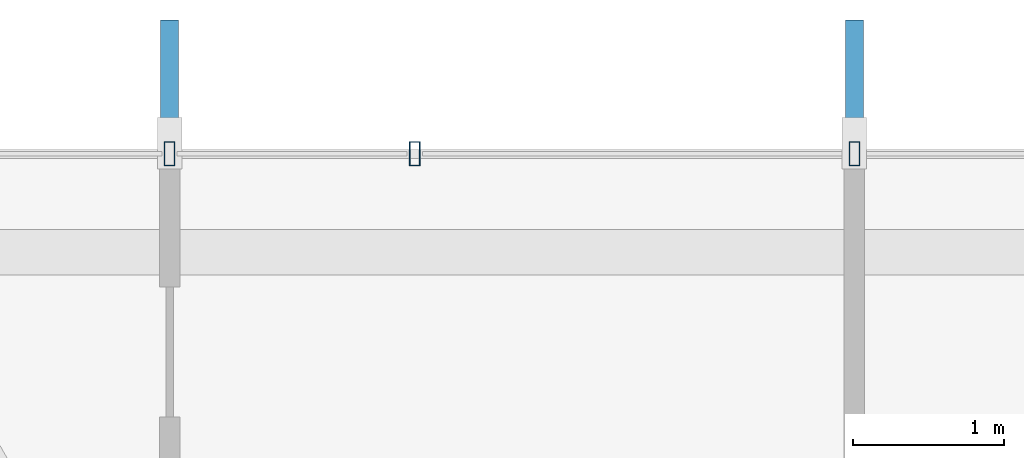
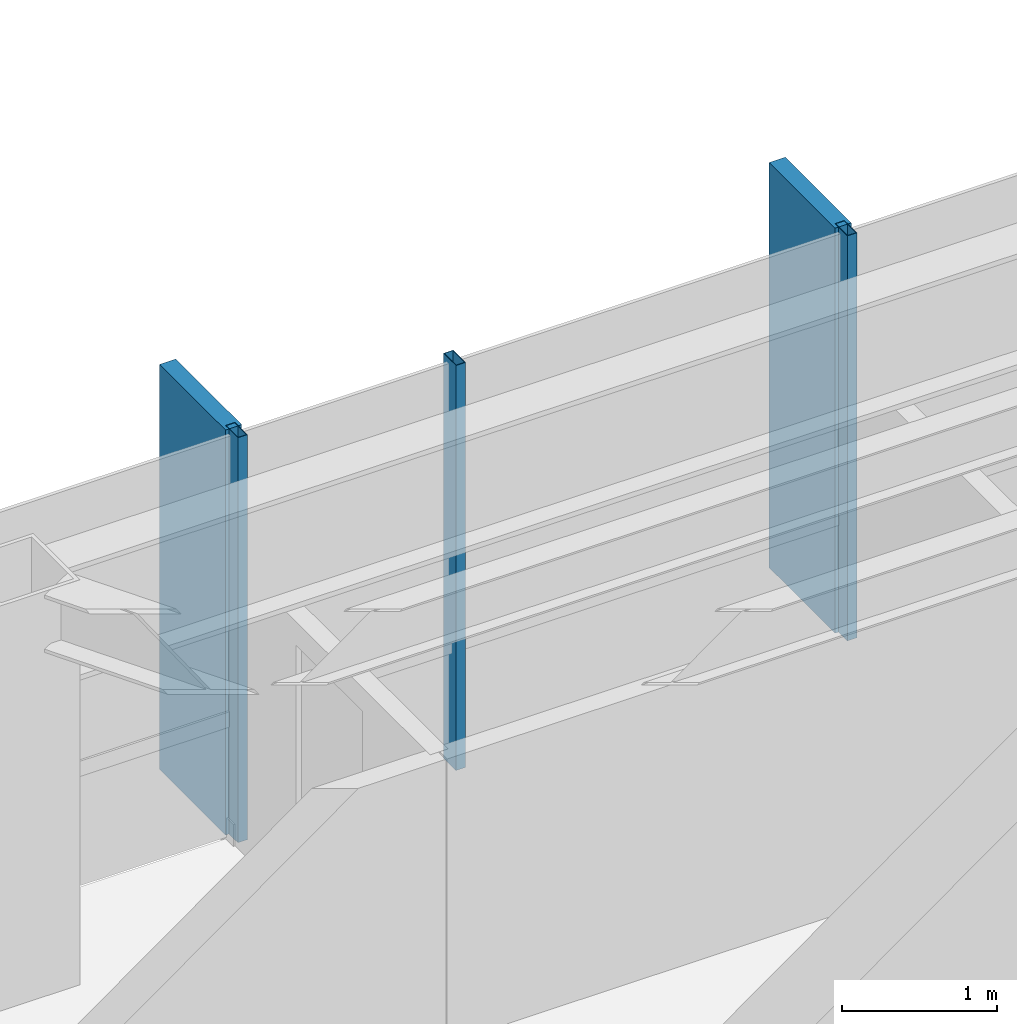
# One storey, part 16 of 27: 5 members, 1 element without a shape of its own.
"""IFC4 building model written with IfcOpenShell, lengths in metres."""

import ifcopenshell
import ifcopenshell.guid

model = None  # the IFC model being written
_history = None  # IfcOwnerHistory: only IFC2X3 demands one
_inside = {}  # id of a spatial element -> (the spatial element, [elements in it])
_under = {}  # id of a project, library or spatial element -> (it, [spatial elements below it])
_declared = {}  # id of a project -> (the project, [libraries it declares])
_typed = {}  # id of a type object -> (the type object, [elements of that type])
_made_of = {}  # id of a material, layer set ... -> (it, [elements and type objects made of it])


def new_model(schema):
    """Start an empty IFC model of exactly this schema.

    Asked for "IFC4X3", IfcOpenShell would pick the latest addendum, in which some entities
    have other attributes; the version numbers below select the first issue.
    IFC2X3 requires an IfcOwnerHistory on every rooted entity: one is made here for all.
    """
    global model, _history
    if schema == "IFC4X3":
        model = ifcopenshell.file(schema_version=(4, 3, 0, 0))
    else:
        model = ifcopenshell.file(schema=schema)
    _inside.clear()
    _under.clear()
    _declared.clear()
    _typed.clear()
    _made_of.clear()
    _history = None
    if model.schema == "IFC2X3":
        org = make("IfcOrganization", Name="unknown")
        user = make(
            "IfcPersonAndOrganization",
            ThePerson=make("IfcPerson", FamilyName="unknown"),
            TheOrganization=org,
        )
        app = make(
            "IfcApplication",
            ApplicationDeveloper=org,
            Version="unknown",
            ApplicationFullName="unknown",
            ApplicationIdentifier="unknown",
        )
        _history = make(
            "IfcOwnerHistory",
            OwningUser=user,
            OwningApplication=app,
            ChangeAction="ADDED",
            CreationDate=0,
        )
    return model


def make(cls, **values):
    """One entity of the class cls with the attributes given. An attribute that is None is left unset."""
    return model.create_entity(
        cls, **{name: value for name, value in values.items() if value is not None}
    )


def rooted(cls, **values):
    """An entity with a GlobalId (a new one), such as an element, a storey or a relation."""
    return make(cls, GlobalId=ifcopenshell.guid.new(), OwnerHistory=_history, **values)


def si_unit(unit_type, name, prefix=None):
    """IfcSIUnit, for example si_unit("LENGTHUNIT", "METRE", prefix="MILLI")."""
    return make("IfcSIUnit", UnitType=unit_type, Prefix=prefix, Name=name)


def assignment(units):
    """IfcUnitAssignment: the units of a project."""
    return None if units is None else make("IfcUnitAssignment", Units=units)


def point(xyz):
    """IfcCartesianPoint."""
    return None if xyz is None else make("IfcCartesianPoint", Coordinates=xyz)


def direction(xyz):
    """IfcDirection."""
    return None if xyz is None else make("IfcDirection", DirectionRatios=xyz)


def frame(location, z_axis=None, x_axis=None):
    """IfcAxis2Placement3D, a coordinate frame: its origin and axes. An axis left out is left unset."""
    return make(
        "IfcAxis2Placement3D",
        Location=point(location),
        Axis=direction(z_axis),
        RefDirection=direction(x_axis),
    )


def frame_2d(location, x_axis=None):
    """IfcAxis2Placement2D, a coordinate frame in the plane: its origin and x axis."""
    return make(
        "IfcAxis2Placement2D", Location=point(location), RefDirection=direction(x_axis)
    )


def origin():
    """The frame at (0, 0, 0) with its axes left unset."""
    return frame((0.0, 0.0, 0.0))


def origin_2d():
    """The frame at (0, 0) in the plane with its x axis left unset."""
    return frame_2d((0.0, 0.0))


def place(relative_to, where):
    """IfcLocalPlacement: puts the frame where relative to a parent placement (None: the world)."""
    return make(
        "IfcLocalPlacement", PlacementRelTo=relative_to, RelativePlacement=where
    )


def context(
    kind, dimensions, precision=None, world=None, true_north=None, identifier=None
):
    """IfcGeometricRepresentationContext, for example the 3D "Model" context."""
    return make(
        "IfcGeometricRepresentationContext",
        ContextIdentifier=identifier,
        ContextType=kind,
        CoordinateSpaceDimension=dimensions,
        Precision=precision,
        WorldCoordinateSystem=world,
        TrueNorth=true_north,
    )


def subcontext(parent, identifier, kind, view, scale=None):
    """IfcGeometricRepresentationSubContext, for example "Body" below "Model"."""
    return make(
        "IfcGeometricRepresentationSubContext",
        ContextIdentifier=identifier,
        ContextType=kind,
        ParentContext=parent,
        TargetScale=scale,
        TargetView=view,
    )


def project(units=None, contexts=None):
    """IfcProject with its units and contexts."""
    return rooted(
        "IfcProject",
        Name="project",
        RepresentationContexts=contexts,
        UnitsInContext=assignment(units),
    )


def spatial(cls, under=None, at=None, **own):
    """A site, building, storey or space (cls), placed at a placement, below another one or the project."""
    s = rooted(cls, ObjectPlacement=at, **own)
    if under is not None:
        _under.setdefault(under.id(), (under, []))[1].append(s)
    return s


def profile(cls, at=None, kind="AREA", **sizes):
    """A parametric profile (cls). Its sizes go by their IFC names, for example OverallWidth=200.0."""
    return make(cls, ProfileType=kind, Position=at, **sizes)


def rectangle(**sizes):
    """IfcRectangleProfileDef."""
    return profile("IfcRectangleProfileDef", **sizes)


def hollow_rectangle(**sizes):
    """IfcRectangleHollowProfileDef."""
    return profile("IfcRectangleHollowProfileDef", **sizes)


def extrude(swept, where, along, depth):
    """IfcExtrudedAreaSolid: the profile swept, set in the frame where, extruded along a direction by depth."""
    return make(
        "IfcExtrudedAreaSolid",
        SweptArea=swept,
        Position=where,
        ExtrudedDirection=direction(along),
        Depth=depth,
    )


def shape(context_of_items, identifier, shape_type, items):
    """IfcShapeRepresentation: the items that make up one representation, for example the "Body"."""
    return make(
        "IfcShapeRepresentation",
        ContextOfItems=context_of_items,
        RepresentationIdentifier=identifier,
        RepresentationType=shape_type,
        Items=items,
    )


def material(Name=None, Category=None):
    """IfcMaterial."""
    return make("IfcMaterial", Name=Name, Category=Category)


def layer(
    of_material, thickness, ventilated=None, Name=None, Category=None, Priority=None
):
    """IfcMaterialLayer: one layer of a wall or slab, of a material (None: an air gap)."""
    return make(
        "IfcMaterialLayer",
        Material=of_material,
        LayerThickness=thickness,
        IsVentilated=ventilated,
        Name=Name,
        Category=Category,
        Priority=Priority,
    )


def layer_set(layers, Name=None):
    """IfcMaterialLayerSet."""
    return make("IfcMaterialLayerSet", MaterialLayers=layers, LayerSetName=Name)


def material_profile(
    of_material, cross_section, Name=None, Category=None, Priority=None
):
    """IfcMaterialProfile: a cross section and its material."""
    return make(
        "IfcMaterialProfile",
        Name=Name,
        Material=of_material,
        Profile=cross_section,
        Priority=Priority,
        Category=Category,
    )


def profile_set(profiles, Name=None, composite=None):
    """IfcMaterialProfileSet."""
    return make(
        "IfcMaterialProfileSet",
        Name=Name,
        MaterialProfiles=profiles,
        CompositeProfile=composite,
    )


def made_of(thing, what):
    """Note that an element or type object is made of a material, layer set ...; save() writes the relation."""
    if what is not None:
        _made_of.setdefault(what.id(), (what, []))[1].append(thing)
    return thing


def type_object(cls, material=None, **own):
    """A type object (cls), such as IfcWallType, which elements share."""
    return made_of(rooted(cls, **own), material)


def element(
    cls,
    number,
    at=None,
    inside=None,
    cuts=None,
    type_object=None,
    material=None,
    context=None,
    identifier="Body",
    shape_type=None,
    held_by="IfcProductDefinitionShape",
    body=None,
    shapes=None,
    **own,
):
    """One element of the class cls, such as IfcWall. Its Tag is "e" and its number.

    at: its placement. inside: the storey or other place that contains it. cuts: it is an
    opening in that element (IfcRelVoidsElement). A single representation is given by context,
    identifier, shape_type and body (its items); several are given by shapes. held_by: the class
    of the entity that holds the representations. save() writes the other relations.
    """
    e = rooted(cls, Tag="e%d" % number, ObjectPlacement=at, **own)
    if body is not None:
        shapes = [shape(context, identifier, shape_type, body)]
    if shapes is not None:
        e.Representation = make(held_by, Representations=shapes)
    if inside is not None:
        _inside.setdefault(inside.id(), (inside, []))[1].append(e)
    if cuts is not None:
        rooted(
            "IfcRelVoidsElement", RelatingBuildingElement=cuts, RelatedOpeningElement=e
        )
    if type_object is not None:
        _typed.setdefault(type_object.id(), (type_object, []))[1].append(e)
    return made_of(e, material)


def aggregate(whole, parts):
    """IfcRelAggregates: a whole, such as a stair, and the parts it consists of."""
    return rooted("IfcRelAggregates", RelatingObject=whole, RelatedObjects=parts)


def save(model, path):
    """Write the relations noted so far, then the file.

    IfcRelAggregates (storeys below a building ...), IfcRelContainedInSpatialStructure (elements
    in a storey), IfcRelDefinesByType, IfcRelAssociatesMaterial and IfcRelDeclares: one each for
    every whole, place, type object, material and project.
    """
    for whole, parts in _under.values():
        aggregate(whole, parts)
    for where, things in _inside.values():
        rooted(
            "IfcRelContainedInSpatialStructure",
            RelatedElements=things,
            RelatingStructure=where,
        )
    for kind, things in _typed.values():
        rooted("IfcRelDefinesByType", RelatedObjects=things, RelatingType=kind)
    for what, things in _made_of.values():
        rooted("IfcRelAssociatesMaterial", RelatedObjects=things, RelatingMaterial=what)
    for by, libraries in _declared.values():
        rooted("IfcRelDeclares", RelatingContext=by, RelatedDefinitions=libraries)
    model.write(path)


model = new_model("IFC4")

# Units and contexts
model_context = context("Model", 3, precision=1e-05, world=origin(), true_north=direction((0.0, 1.0)))
body_context = subcontext(model_context, "Body", "Model", "MODEL_VIEW")
ifc_project = project(units=[si_unit("LENGTHUNIT", "METRE"), si_unit("AREAUNIT", "SQUARE_METRE"), si_unit("VOLUMEUNIT", "CUBIC_METRE"), si_unit("PLANEANGLEUNIT", "RADIAN"), si_unit("MASSUNIT", "GRAM", prefix="KILO")], contexts=[model_context])

# Site, building, storey
site_placement = place(None, origin())
site = spatial("IfcSite", under=ifc_project, at=site_placement, CompositionType="ELEMENT")
building_placement = place(site_placement, origin())
building = spatial("IfcBuilding", under=site, at=building_placement, Name="Zarrinselat Tower", CompositionType="ELEMENT")
storey_placement = place(building_placement, frame((0.0, 0.0, 229.159912109375)))
storey = spatial("IfcBuildingStorey", under=building, at=storey_placement, Name="L57", CompositionType="ELEMENT", Elevation=229.159912109375)

# Curtain wall, members
ifc_material_1 = material(Name="Extruded Aluminium Alloy EN AW-6063 T6", Category="aluminium")
ifc_layer = layer(ifc_material_1, 0.169921875)
ifc_layer_set = layer_set([ifc_layer], Name="Extruded Aluminium Alloy EN AW-6063 T6")
curtain_wall_type = type_object("IfcCurtainWallType", Name="CWS-RES", PredefinedType="NOTDEFINED", material=ifc_layer_set)
curtain_wall_placement = place(storey_placement, origin())
curtain_wall = element("IfcCurtainWall", 1, at=curtain_wall_placement, inside=storey, type_object=curtain_wall_type, Name="L57 Unitised Curtain Wall CW-L57-E01", PredefinedType="NOTDEFINED")
ifc_material_2 = material(Name="Extruded Aluminium Alloy EN AW-6063 T6", Category="aluminium")
ifc_material_profile_1 = material_profile(ifc_material_2, hollow_rectangle(XDim=0.070068359375, YDim=0.159912109375, WallThickness=0.00390625, at=origin_2d()), Name="RHS 160x70x4")
ifc_profile_set_1 = profile_set([ifc_material_profile_1], Name="Extruded Aluminium Alloy EN AW-6063 T6")
member_type_1 = type_object("IfcMemberType", Name="MEM-CW-MUL2", PredefinedType="MULLION", material=ifc_profile_set_1)
member_1_placement = place(storey_placement, frame((45.300048828125, 48.177734375, 0.0), z_axis=(0.0, 0.0, 1.0), x_axis=(-1.0, 0.0, 0.0)))
member_1 = element("IfcMember", 2, at=member_1_placement, type_object=member_type_1, Name="CW-L57-E01 Mullion 3", PredefinedType="MULLION", context=body_context, shape_type="SweptSolid", body=[
    extrude(hollow_rectangle(XDim=0.070068359375, YDim=0.159912109375, WallThickness=0.00390625, at=origin_2d()), origin(), (0.0, 0.0, 1.0), 3.18017578125),
])
member_2_placement = place(storey_placement, frame((42.393798828125, 48.177734375, 0.0), z_axis=(0.0, 0.0, 1.0), x_axis=(-1.0, 0.0, 0.0)))
member_2 = element("IfcMember", 3, at=member_2_placement, type_object=member_type_1, Name="CW-L57-E01 Mullion 4", PredefinedType="MULLION", context=body_context, shape_type="SweptSolid", body=[
    extrude(hollow_rectangle(XDim=0.070068359375, YDim=0.159912109375, WallThickness=0.00390625, at=origin_2d()), origin(), (0.0, 0.0, 1.0), 3.18017578125),
])
member_3_placement = place(storey_placement, frame((40.773681640625, 48.177734375, 0.0), z_axis=(0.0, 0.0, 1.0), x_axis=(-1.0, 0.0, 0.0)))
member_3 = element("IfcMember", 4, at=member_3_placement, type_object=member_type_1, Name="CW-L57-E01 Mullion 5", PredefinedType="MULLION", context=body_context, shape_type="SweptSolid", body=[
    extrude(hollow_rectangle(XDim=0.070068359375, YDim=0.159912109375, WallThickness=0.00390625, at=origin_2d()), origin(), (0.0, 0.0, 1.0), 3.18017578125),
])
ifc_material_3 = material(Name="Honed Cream Travertine Stone", Category="masonry")
ifc_material_profile_2 = material_profile(ifc_material_3, rectangle(XDim=0.1201171875, YDim=0.85009765625, at=origin_2d()), Name="FIN 850x120")
ifc_profile_set_2 = profile_set([ifc_material_profile_2], Name="Honed Cream Travertine Stone")
member_type_2 = type_object("IfcMemberType", Name="MEM-STONE-FIN", PredefinedType="USERDEFINED", material=ifc_profile_set_2)
member_4_placement = place(storey_placement, frame((45.300048828125, 48.6376953125, 0.0), z_axis=(0.0, 0.0, 1.0), x_axis=(1.0, 0.0, 0.0)))
member_4 = element("IfcMember", 5, at=member_4_placement, type_object=member_type_2, Name="L57 Stone Shading Fin CW-L57-E01-03", ObjectType="FIN", PredefinedType="USERDEFINED", context=body_context, shape_type="SweptSolid", body=[
    extrude(rectangle(XDim=0.1201171875, YDim=0.85009765625, at=origin_2d()), origin(), (0.0, 0.0, 1.0), 3.18017578125),
])
member_5_placement = place(storey_placement, frame((40.773681640625, 48.6376953125, 0.0), z_axis=(0.0, 0.0, 1.0), x_axis=(1.0, 0.0, 0.0)))
member_5 = element("IfcMember", 6, at=member_5_placement, type_object=member_type_2, Name="L57 Stone Shading Fin CW-L57-E01-05", ObjectType="FIN", PredefinedType="USERDEFINED", context=body_context, shape_type="SweptSolid", body=[
    extrude(rectangle(XDim=0.1201171875, YDim=0.85009765625, at=origin_2d()), origin(), (0.0, 0.0, 1.0), 3.18017578125),
])
aggregate(curtain_wall, [member_1, member_4, member_2, member_3, member_5])

save(model, "model.ifc")
